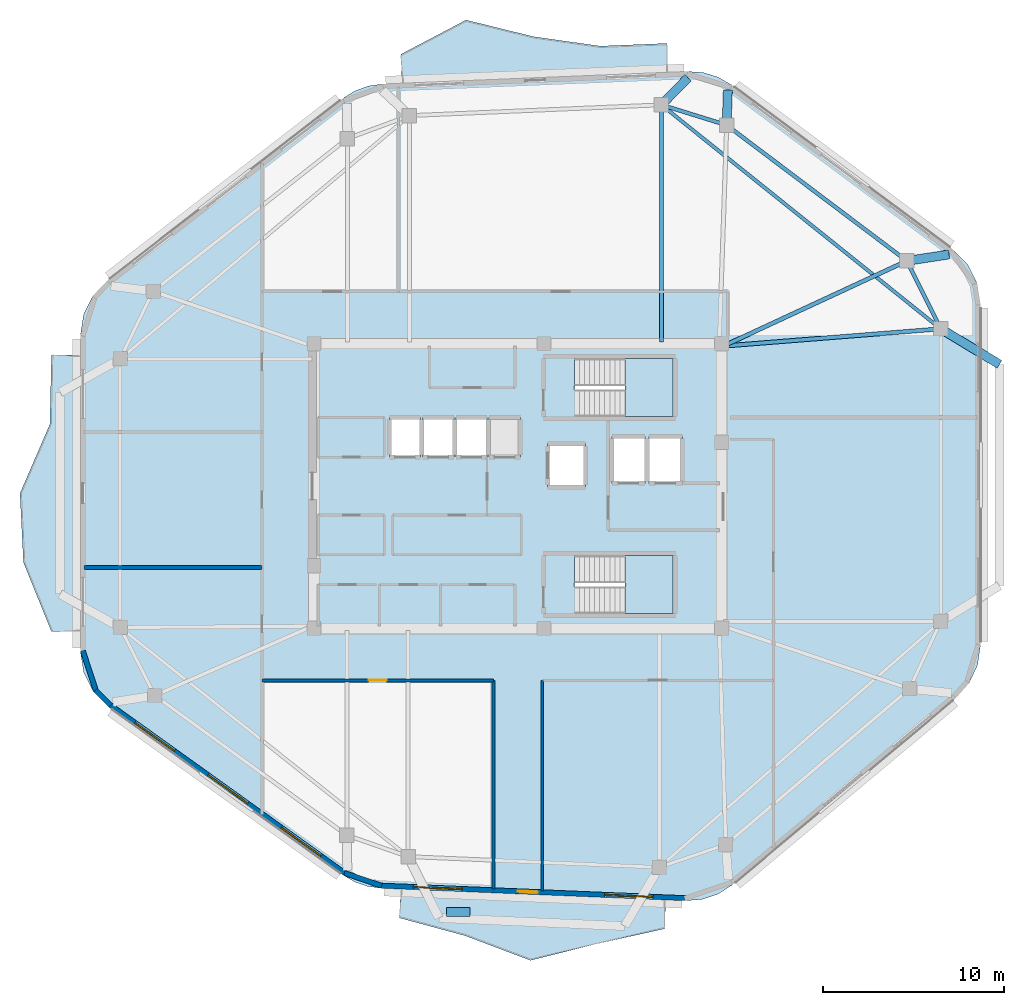
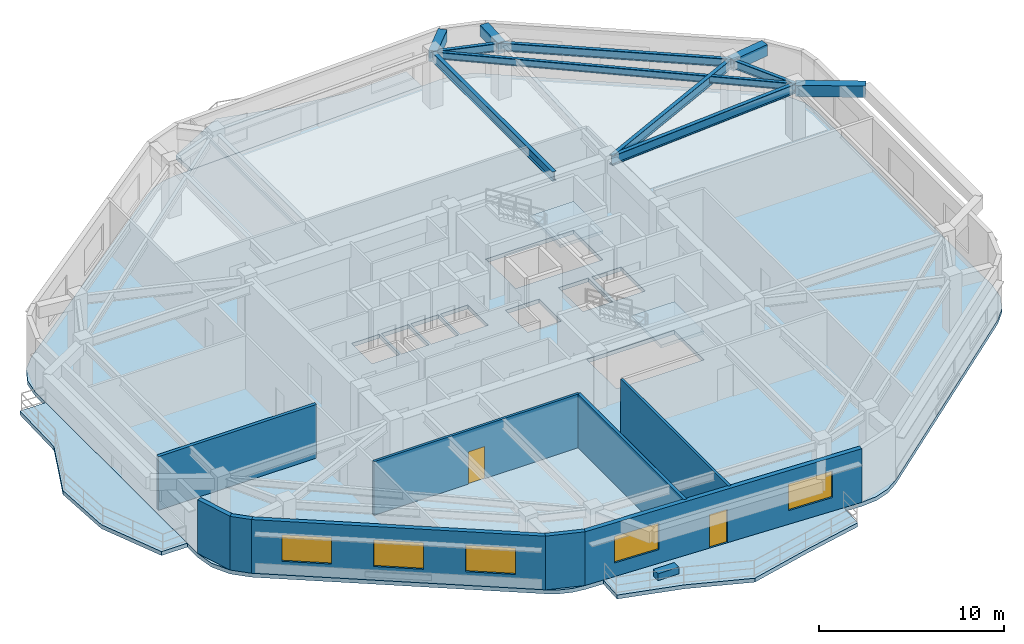
# One storey, part 2 of 10: 11 beams, 9 walls, 6 slabs, 5 windows, 2 doors, 1 plate, 7 openings, 2 elements without a shape of their own.
"""IFC4 building model written with IfcOpenShell, lengths in metres."""

from ifc_helpers import new_model, si_unit, direction, frame, frame_2d, origin, origin_2d, place, context, subcontext, project, spatial, polyline, rectangle, i_section, outline, extrude, material, layer, layer_set, material_profile, profile_set, type_object, element, fill, aggregate, save


model = new_model("IFC4")

# Units and contexts
model_context = context("Model", 3, precision=1e-05, world=origin(), true_north=direction((0.0, 1.0)))
body_context = subcontext(model_context, "Body", "Model", "MODEL_VIEW")
ifc_project = project(units=[si_unit("LENGTHUNIT", "METRE"), si_unit("AREAUNIT", "SQUARE_METRE"), si_unit("VOLUMEUNIT", "CUBIC_METRE"), si_unit("PLANEANGLEUNIT", "RADIAN"), si_unit("MASSUNIT", "GRAM", prefix="KILO")], contexts=[model_context])

# Site, building, storey
site_placement = place(None, origin())
site = spatial("IfcSite", under=ifc_project, at=site_placement, CompositionType="ELEMENT")
building_placement = place(site_placement, origin())
building = spatial("IfcBuilding", under=site, at=building_placement, Name="Zulverin Broadcast Headquarters", CompositionType="ELEMENT")
storey_placement = place(building_placement, frame((0.0, 0.0, 282.0)))
storey = spatial("IfcBuildingStorey", under=building, at=storey_placement, Name="L72", CompositionType="ELEMENT", Elevation=282.0)

# Beams
ifc_material_1 = material(Name="Concrete C40/50", Category="concrete")
ifc_material_profile_1 = material_profile(ifc_material_1, rectangle(XDim=0.5, YDim=0.75, at=origin_2d()), Name="Concrete C40/50", Category="concrete")
ifc_profile_set_1 = profile_set([ifc_material_profile_1], Name="Concrete C40/50")
beam_type_1 = type_object("IfcBeamType", Name="BM-RC-500x750", PredefinedType="BEAM", material=ifc_profile_set_1)
beam_1_placement = place(storey_placement, frame((58.52587890625, 37.661865234375, 3.1650390625), z_axis=(0.988495750069, 0.151248643286, 0.0), x_axis=(-0.151248643286, 0.988495750069, 0.0)))
element("IfcBeam", 1, at=beam_1_placement, inside=storey, type_object=beam_type_1, Name="L73 Plate Overhang Back-Spanned Beam OVR-07", PredefinedType="BEAM", context=body_context, shape_type="SweptSolid", body=[
    extrude(rectangle(XDim=0.5, YDim=0.75, at=origin_2d()), origin(), (0.0, 0.0, 1.0), 2.35986328125),
])
beam_2_placement = place(storey_placement, frame((48.55908203125, 45.172607421875, 3.1650390625), z_axis=(0.032637714701, 0.999467247877, 0.0), x_axis=(-0.999467247877, 0.032637714701, 0.0)))
element("IfcBeam", 2, at=beam_2_placement, inside=storey, type_object=beam_type_1, Name="L73 Plate Overhang Back-Spanned Beam OVR-08", PredefinedType="BEAM", context=body_context, shape_type="SweptSolid", body=[
    extrude(rectangle(XDim=0.5, YDim=0.75, at=origin_2d()), origin(), (0.0, 0.0, 1.0), 1.94482421875),
])
beam_3_placement = place(storey_placement, frame((44.944580078125, 46.296630859375, 3.1650390625), z_axis=(0.702159513415, 0.712019675094, 0.0), x_axis=(-0.712019675094, 0.702159513415, 0.0)))
element("IfcBeam", 3, at=beam_3_placement, inside=storey, type_object=beam_type_1, Name="L73 Plate Overhang Back-Spanned Beam OVR-09", PredefinedType="BEAM", context=body_context, shape_type="SweptSolid", body=[
    extrude(rectangle(XDim=0.5, YDim=0.75, at=origin_2d()), origin(), (0.0, 0.0, 1.0), 2.104736328125),
])
beam_4_placement = place(storey_placement, frame((60.39990234375, 33.903076171875, 3.1650390625), z_axis=(0.855759105742, -0.517374480371, 0.0), x_axis=(0.517374480371, 0.855759105742, 0.0)))
element("IfcBeam", 4, at=beam_4_placement, inside=storey, type_object=beam_type_1, Name="L73 Balcony Column-Framed Cantilever BAL_E-2", PredefinedType="BEAM", context=body_context, shape_type="SweptSolid", body=[
    extrude(rectangle(XDim=0.5, YDim=0.75, at=origin_2d()), origin(), (0.0, 0.0, 1.0), 3.800048828125),
])
ifc_material_2 = material(Name="Structural steel S355JR", Category="steel")
ifc_material_profile_2 = material_profile(ifc_material_2, i_section(OverallWidth=0.19287109375, OverallDepth=0.46728515625, WebThickness=0.011474609375, FlangeThickness=0.01953125, at=origin_2d()), Name="Structural steel S355JR", Category="steel")
ifc_profile_set_2 = profile_set([ifc_material_profile_2], Name="Structural steel S355JR")
beam_type_2 = type_object("IfcBeamType", Name="BM-UB-457", PredefinedType="JOIST", material=ifc_profile_set_2)
beam_5_placement = place(storey_placement, frame((60.39990234375, 33.903076171875, 3.306396484375), z_axis=(-0.78014690603, 0.625596359493, 0.0), x_axis=(-0.625596359493, -0.78014690603, 0.0)))
element("IfcBeam", 5, at=beam_5_placement, inside=storey, type_object=beam_type_2, Name="L72 Chordal Floor Joist J-02", PredefinedType="JOIST", context=body_context, shape_type="SweptSolid", body=[
    extrude(i_section(OverallWidth=0.19287109375, OverallDepth=0.46728515625, WebThickness=0.011474609375, FlangeThickness=0.01953125, at=origin_2d()), origin(), (0.0, 0.0, 1.0), 19.810791015625),
])
ifc_material_profile_3 = material_profile(ifc_material_2, i_section(OverallWidth=0.2119140625, OverallDepth=0.54443359375, WebThickness=0.0126953125, FlangeThickness=0.021240234375, at=origin_2d()), Name="Structural steel S355JR", Category="steel")
ifc_profile_set_3 = profile_set([ifc_material_profile_3], Name="Structural steel S355JR")
beam_type_3 = type_object("IfcBeamType", Name="BM-UB-533", PredefinedType="SPANDREL", material=ifc_profile_set_3)
beam_6_placement = place(storey_placement, frame((60.39990234375, 33.903076171875, 3.267822265625), z_axis=(-0.446190250792, 0.894938131995, 0.0), x_axis=(-0.894938131995, -0.446190250792, 0.0)))
element("IfcBeam", 6, at=beam_6_placement, inside=storey, type_object=beam_type_3, Name="L72 Perimeter Spandrel Beam SP-06", PredefinedType="SPANDREL", context=body_context, shape_type="SweptSolid", body=[
    extrude(i_section(OverallWidth=0.2119140625, OverallDepth=0.54443359375, WebThickness=0.0126953125, FlangeThickness=0.021240234375, at=origin_2d()), origin(), (0.0, 0.0, 1.0), 4.199951171875),
])
beam_7_placement = place(storey_placement, frame((58.52587890625, 37.661865234375, 3.267822265625), z_axis=(-0.798626958847, 0.60182637081, 0.0), x_axis=(-0.60182637081, -0.798626958847, 0.0)))
element("IfcBeam", 7, at=beam_7_placement, inside=storey, type_object=beam_type_3, Name="L72 Perimeter Spandrel Beam SP-07", PredefinedType="SPANDREL", context=body_context, shape_type="SweptSolid", body=[
    extrude(i_section(OverallWidth=0.2119140625, OverallDepth=0.54443359375, WebThickness=0.0126953125, FlangeThickness=0.021240234375, at=origin_2d()), origin(), (0.0, 0.0, 1.0), 12.47998046875),
])
beam_8_placement = place(storey_placement, frame((48.55908203125, 45.172607421875, 3.267822265625), z_axis=(-0.954893359596, 0.296948938033, 0.0), x_axis=(-0.296948938033, -0.954893359596, 0.0)))
element("IfcBeam", 8, at=beam_8_placement, inside=storey, type_object=beam_type_3, Name="L72 Perimeter Spandrel Beam SP-08", PredefinedType="SPANDREL", context=body_context, shape_type="SweptSolid", body=[
    extrude(i_section(OverallWidth=0.2119140625, OverallDepth=0.54443359375, WebThickness=0.0126953125, FlangeThickness=0.021240234375, at=origin_2d()), origin(), (0.0, 0.0, 1.0), 3.78515625),
])
ifc_material_profile_4 = material_profile(ifc_material_2, i_section(OverallWidth=0.230224609375, OverallDepth=0.6171875, WebThickness=0.01318359375, FlangeThickness=0.022216796875, at=origin_2d()), Name="Structural steel S355JR", Category="steel")
ifc_profile_set_4 = profile_set([ifc_material_profile_4], Name="Structural steel S355JR")
beam_type_4 = type_object("IfcBeamType", Name="BM-UB-610", PredefinedType="BEAM", material=ifc_profile_set_4)
beam_9_placement = place(storey_placement, frame((48.375, 32.949951171875, 3.2314453125), z_axis=(0.996873444671, 0.079014779064, 0.0), x_axis=(-0.079014779064, 0.996873444671, 0.0)))
element("IfcBeam", 9, at=beam_9_placement, inside=storey, type_object=beam_type_4, Name="L72 Radial Primary Floor Beam RB-06", PredefinedType="BEAM", context=body_context, shape_type="SweptSolid", body=[
    extrude(i_section(OverallWidth=0.230224609375, OverallDepth=0.6171875, WebThickness=0.01318359375, FlangeThickness=0.022216796875, at=origin_2d()), origin(), (0.0, 0.0, 1.0), 12.0625),
])
beam_10_placement = place(storey_placement, frame((48.375, 32.949951171875, 3.2314453125), z_axis=(0.90704288978, 0.421038235912, 0.0), x_axis=(-0.421038235912, 0.90704288978, 0.0)))
element("IfcBeam", 10, at=beam_10_placement, inside=storey, type_object=beam_type_4, Name="L72 Radial Primary Floor Beam RB-07", PredefinedType="BEAM", context=body_context, shape_type="SweptSolid", body=[
    extrude(i_section(OverallWidth=0.230224609375, OverallDepth=0.6171875, WebThickness=0.01318359375, FlangeThickness=0.022216796875, at=origin_2d()), origin(), (0.0, 0.0, 1.0), 11.191162109375),
])
beam_11_placement = place(storey_placement, frame((44.944580078125, 33.175048828125, 3.2314453125), z_axis=(0.0, 1.0, 0.0), x_axis=(-1.0, 0.0, 0.0)))
element("IfcBeam", 11, at=beam_11_placement, inside=storey, type_object=beam_type_4, Name="L72 Radial Primary Floor Beam RB-09", PredefinedType="BEAM", context=body_context, shape_type="SweptSolid", body=[
    extrude(i_section(OverallWidth=0.230224609375, OverallDepth=0.6171875, WebThickness=0.01318359375, FlangeThickness=0.022216796875, at=origin_2d()), origin(), (0.0, 0.0, 1.0), 13.12158203125),
])

# Plate
ifc_material_3 = material(Name="Precast concrete C45/55", Category="concrete")
ifc_layer_1 = layer(ifc_material_3, 0.449951171875, Name="Precast concrete C45/55", Category="concrete")
ifc_layer_set_1 = layer_set([ifc_layer_1], Name="Precast concrete C45/55")
plate_type = type_object("IfcPlateType", Name="PT-01_PRECAST_GFRC_TREE_PLANTER", PredefinedType="USERDEFINED", material=ifc_layer_set_1)
plate_placement = place(storey_placement, frame((33.700439453125, 1.626708984375, -0.0048828125), z_axis=(0.0, 0.0, 1.0), x_axis=(1.0, 0.0, 0.0)))
element("IfcPlate", 12, at=plate_placement, inside=storey, type_object=plate_type, Name="L72 Precast GFRC Tree Planter BAL_S", ObjectType="PLANTER", PredefinedType="USERDEFINED", context=body_context, shape_type="SweptSolid", body=[
    extrude(rectangle(XDim=1.300048828125, YDim=0.5, at=origin_2d()), origin(), (0.0, 0.0, 1.0), 0.449951171875),
])

# Slabs
ifc_layer_2 = layer(ifc_material_1, 0.260009765625, Name="Concrete C40/50", Category="concrete")
ifc_layer_set_2 = layer_set([ifc_layer_2], Name="Concrete C40/50")
slab_type_1 = type_object("IfcSlabType", Name="SLB-BAL-260", PredefinedType="FLOOR", material=ifc_layer_set_2)
slab_1_placement = place(storey_placement, frame((0.0, 0.0, -0.260009765625)))
element("IfcSlab", 13, at=slab_1_placement, inside=storey, type_object=slab_type_1, Name="L72 Cantilevered Planted Balcony Slab BAL_N", PredefinedType="FLOOR", context=body_context, shape_type="SweptSolid", body=[
    extrude(outline(polyline([(30.598388671875, 47.4951171875), (45.308837890625, 48.099609375), (45.2431640625, 49.6982421875), (41.565673828125, 49.547119140625), (37.860107421875, 50.0732421875), (34.138427734375, 50.99072265625), (30.532470703125, 49.093505859375), (30.598388671875, 47.4951171875)])), origin(), (0.0, 0.0, 1.0), 0.260009765625),
])
slab_2_placement = place(storey_placement, frame((0.0, 0.0, -0.260009765625)))
element("IfcSlab", 14, at=slab_2_placement, inside=storey, type_object=slab_type_1, Name="L72 Cantilevered Planted Balcony Slab BAL_W", PredefinedType="FLOOR", context=body_context, shape_type="SweptSolid", body=[
    extrude(outline(polyline([(12.800048828125, 17.151611328125), (12.800048828125, 32.447998046875), (11.199951171875, 32.447998046875), (11.111083984375, 28.623779296875), (9.458984375, 24.7998046875), (9.649658203125, 20.975830078125), (11.199951171875, 17.151611328125), (12.800048828125, 17.151611328125)])), origin(), (0.0, 0.0, 1.0), 0.260009765625),
])
slab_3_placement = place(storey_placement, frame((0.0, 0.0, -0.260009765625)))
element("IfcSlab", 15, at=slab_3_placement, inside=storey, type_object=slab_type_1, Name="L72 Cantilevered Planted Balcony Slab BAL_S", PredefinedType="FLOOR", context=body_context, shape_type="SweptSolid", body=[
    extrude(outline(polyline([(45.185302734375, 2.305419921875), (30.521728515625, 2.908203125), (30.4560546875, 1.3095703125), (34.087646484375, 0.32421875), (37.70361328125, -1.0400390625), (41.413818359375, -0.11181640625), (45.11962890625, 0.706787109375), (45.185302734375, 2.305419921875)])), origin(), (0.0, 0.0, 1.0), 0.260009765625),
])

# Stair, slab
stair_type = type_object("IfcStairType", Name="ST-CORE-1500", PredefinedType="HALF_TURN_STAIR", material=ifc_material_1)
stair_1_placement = place(storey_placement, origin())
stair_1 = element("IfcStair", 16, at=stair_1_placement, inside=storey, type_object=stair_type, Name="L72 Core Exit Stair ST-1", PredefinedType="HALF_TURN_STAIR")
ifc_layer_3 = layer(ifc_material_1, 0.199951171875, Name="Concrete C40/50", Category="concrete")
ifc_layer_set_3 = layer_set([ifc_layer_3], Name="Concrete C40/50")
slab_type_2 = type_object("IfcSlabType", Name="SLB-ST-LND200", PredefinedType="LANDING", material=ifc_layer_set_3)
slab_4_placement = place(storey_placement, frame((0.0, 0.0, 1.699951171875)))
slab_4 = element("IfcSlab", 17, at=slab_4_placement, type_object=slab_type_2, Name="ST-1 landing 1", PredefinedType="LANDING", context=body_context, shape_type="SweptSolid", body=[
    extrude(outline(polyline([(42.929931640625, 29.050048828125), (45.60009765625, 29.050048828125), (45.60009765625, 32.25), (42.929931640625, 32.25), (42.929931640625, 29.050048828125)])), origin(), (0.0, 0.0, 1.0), 0.199951171875),
])
aggregate(stair_1, [slab_4])

stair_2_placement = place(storey_placement, origin())
stair_2 = element("IfcStair", 18, at=stair_2_placement, inside=storey, type_object=stair_type, Name="L72 Core Exit Stair ST-2", PredefinedType="HALF_TURN_STAIR")
slab_5_placement = place(storey_placement, frame((0.0, 0.0, 1.699951171875)))
slab_5 = element("IfcSlab", 19, at=slab_5_placement, type_object=slab_type_2, Name="ST-2 landing 1", PredefinedType="LANDING", context=body_context, shape_type="SweptSolid", body=[
    extrude(outline(polyline([(42.929931640625, 18.14990234375), (45.60009765625, 18.14990234375), (45.60009765625, 21.35009765625), (42.929931640625, 21.35009765625), (42.929931640625, 18.14990234375)])), origin(), (0.0, 0.0, 1.0), 0.199951171875),
])
aggregate(stair_2, [slab_5])

# Slab
ifc_layer_4 = layer(ifc_material_1, 0.260009765625, Name="Concrete C40/50", Category="concrete")
ifc_layer_set_4 = layer_set([ifc_layer_4], Name="Concrete C40/50")
slab_type_3 = type_object("IfcSlabType", Name="SLB-TWR-260", PredefinedType="FLOOR", material=ifc_layer_set_4)
slab_6_placement = place(storey_placement, frame((0.0, 0.0, -0.260009765625)))
element("IfcSlab", 20, at=slab_6_placement, inside=storey, type_object=slab_type_3, Name="L72 Main Structural Floor Slab", PredefinedType="FLOOR", context=body_context, shape_type="SweptSolid", body=[
    extrude(outline(polyline([(27.364990234375, 3.66162109375), (28.00048828125, 3.293212890625), (28.695068359375, 3.05419921875), (29.422607421875, 2.953369140625), (46.284423828125, 2.26025390625), (47.21337890625, 2.33642578125), (48.095703125, 2.63671875), (48.878662109375, 3.142333984375), (61.238037109375, 13.480712890625), (61.97265625, 14.30419921875), (62.439697265625, 15.3037109375), (62.60009765625, 16.3955078125), (62.60009765625, 35.25), (62.418212890625, 36.4111328125), (61.890625, 37.4609375), (61.0673828125, 38.299560546875), (48.831298828125, 47.3974609375), (48.087646484375, 47.8291015625), (47.265869140625, 48.08251953125), (46.407958984375, 48.144775390625), (29.499267578125, 47.44970703125), (28.726318359375, 47.337646484375), (27.992919921875, 47.070068359375), (27.329345703125, 46.657958984375), (14.274169921875, 36.552978515625), (13.481201171875, 35.71875), (12.974365234375, 34.685546875), (12.800048828125, 33.548095703125), (12.800048828125, 16.0517578125), (12.988525390625, 14.86962890625), (13.535400390625, 13.804931640625), (14.386474609375, 12.963134765625), (27.364990234375, 3.66162109375)]), holes=[polyline([(40.155029296875, 30.75), (40.130126953125, 30.75), (40.130126953125, 32.25), (45.60009765625, 32.25), (45.60009765625, 29.050048828125), (40.155029296875, 29.050048828125), (40.155029296875, 30.75)]), polyline([(40.155029296875, 19.85009765625), (40.130126953125, 19.85009765625), (40.130126953125, 21.35009765625), (45.60009765625, 21.35009765625), (45.60009765625, 18.14990234375), (40.155029296875, 18.14990234375), (40.155029296875, 19.85009765625)]), polyline([(29.89990234375, 26.800048828125), (31.6201171875, 26.800048828125), (31.6201171875, 29.0), (29.89990234375, 29.0), (29.89990234375, 26.800048828125)]), polyline([(31.739990234375, 26.800048828125), (33.4599609375, 26.800048828125), (33.4599609375, 29.0), (31.739990234375, 29.0), (31.739990234375, 26.800048828125)]), polyline([(33.580078125, 26.800048828125), (35.300048828125, 26.800048828125), (35.300048828125, 29.0), (33.580078125, 29.0), (33.580078125, 26.800048828125)]), polyline([(35.419921875, 26.800048828125), (37.139892578125, 26.800048828125), (37.139892578125, 29.0), (35.419921875, 29.0), (35.419921875, 26.800048828125)]), polyline([(42.199951171875, 25.35009765625), (44.050048828125, 25.35009765625), (44.050048828125, 27.949951171875), (42.199951171875, 27.949951171875), (42.199951171875, 25.35009765625)]), polyline([(44.25, 25.35009765625), (46.10009765625, 25.35009765625), (46.10009765625, 27.949951171875), (44.25, 27.949951171875), (44.25, 25.35009765625)]), polyline([(38.64990234375, 25.14990234375), (40.75, 25.14990234375), (40.75, 27.550048828125), (38.64990234375, 27.550048828125), (38.64990234375, 25.14990234375)])]), origin(), (0.0, 0.0, 1.0), 0.260009765625),
])

# Wall
ifc_material_4 = material(Name="Acoustic drywall steel stud", Category="steel")
ifc_layer_5 = layer(ifc_material_4, 0.199951171875, Name="Acoustic drywall steel stud", Category="steel")
ifc_layer_set_5 = layer_set([ifc_layer_5], Name="Acoustic drywall steel stud")
wall_type_1 = type_object("IfcWallType", Name="WL-ACOU-200", PredefinedType="PARTITIONING", material=ifc_layer_set_5)
wall_1_placement = place(storey_placement, frame((13.0048828125, 20.699951171875, 0.0), z_axis=(0.0, 0.0, 1.0), x_axis=(1.0, 0.0, 0.0)))
element("IfcWall", 21, at=wall_1_placement, inside=storey, type_object=wall_type_1, Name="L72 Room Partition Wall RP-09", PredefinedType="PARTITIONING", context=body_context, shape_type="SweptSolid", body=[
    extrude(rectangle(XDim=9.84521484375, YDim=0.199951171875, at=frame_2d((4.922607421875, 0.0))), origin(), (0.0, 0.0, 1.0), 3.5400390625),
])

# Wall, openings, door, windows
ifc_material_5 = material(Name="Insulated pale-metal clad concrete spandrel C40/50", Category="concrete")
ifc_layer_6 = layer(ifc_material_5, 0.280029296875, Name="Insulated pale-metal clad concrete spandrel C40/50", Category="concrete")
ifc_layer_set_6 = layer_set([ifc_layer_6], Name="Insulated pale-metal clad concrete spandrel C40/50")
wall_type_2 = type_object("IfcWallType", Name="WL-EXT-280", PredefinedType="STANDARD", material=ifc_layer_set_6)
wall_2_placement = place(storey_placement, frame((29.42822265625, 3.09326171875, 0.0), z_axis=(0.0, 0.0, 1.0), x_axis=(0.999156257967, -0.041070331944, 0.0)))
wall_2 = element("IfcWall", 22, at=wall_2_placement, inside=storey, type_object=wall_type_2, Name="L72 Pale-Metal Clad Spandrel Wall 1", PredefinedType="STANDARD", context=body_context, shape_type="SweptSolid", body=[
    extrude(rectangle(XDim=16.876220703125, YDim=0.280029296875, at=frame_2d((8.43798828125, 0.0))), origin(), (0.0, 0.0, 1.0), 3.5400390625),
])
opening_1_placement = place(wall_2_placement, frame((7.588134765625, 0.0, 0.0)))
opening_1 = element("IfcOpeningElement", 23, at=opening_1_placement, cuts=wall_2, Name="Opening D-L72-TR1", PredefinedType="OPENING", context=body_context, shape_type="SweptSolid", body=[
    extrude(rectangle(XDim=1.10009765625, YDim=2.199951171875, at=frame_2d((0.550048828125, 1.10009765625))), frame((0.0, 0.14990234375, 0.0), z_axis=(0.0, -1.0, 0.0), x_axis=(1.0, 0.0, 0.0)), (0.0, 0.0, 1.0), 0.300048828125),
])
opening_2_placement = place(wall_2_placement, frame((1.7958984375, 0.0, 0.89990234375)))
opening_2 = element("IfcOpeningElement", 24, at=opening_2_placement, cuts=wall_2, Name="Opening W-L72-E11", PredefinedType="OPENING", context=body_context, shape_type="SweptSolid", body=[
    extrude(rectangle(XDim=2.699951171875, YDim=1.75, at=frame_2d((1.35009765625, 0.875))), frame((0.0, 0.14990234375, 0.0), z_axis=(0.0, -1.0, 0.0), x_axis=(1.0, 0.0, 0.0)), (0.0, 0.0, 1.0), 0.300048828125),
])
opening_3_placement = place(wall_2_placement, frame((12.380126953125, 0.0, 0.89990234375)))
opening_3 = element("IfcOpeningElement", 25, at=opening_3_placement, cuts=wall_2, Name="Opening W-L72-E12", PredefinedType="OPENING", context=body_context, shape_type="SweptSolid", body=[
    extrude(rectangle(XDim=2.699951171875, YDim=1.75, at=frame_2d((1.35009765625, 0.875))), frame((0.0, 0.14990234375, 0.0), z_axis=(0.0, -1.0, 0.0), x_axis=(1.0, 0.0, 0.0)), (0.0, 0.0, 1.0), 0.300048828125),
])
ifc_material_6 = material(Name="Thermally broken aluminium glazed", Category="aluminium")
door_type_1 = type_object("IfcDoorType", Name="DR-TERR-1100", OperationType="SINGLE_SWING_RIGHT", PredefinedType="DOOR", material=ifc_material_6)
door_1_placement = place(opening_1_placement, origin())
door_1 = element("IfcDoor", 26, at=door_1_placement, inside=storey, type_object=door_type_1, Name="L72 Planted Terrace Glazed Access Door 1", OperationType="SINGLE_SWING_RIGHT", OverallHeight=2.199951171875, OverallWidth=1.10009765625, PredefinedType="DOOR", context=body_context, shape_type="SweptSolid", body=[
    extrude(rectangle(XDim=1.10009765625, YDim=2.199951171875, at=frame_2d((0.550048828125, 1.10009765625))), frame((0.0, 0.02490234375, 0.0), z_axis=(0.0, -1.0, 0.0), x_axis=(1.0, 0.0, 0.0)), (0.0, 0.0, 1.0), 0.050048828125),
])
fill(opening_1, door_1)
ifc_material_7 = material(Name="Pale anodized aluminium frame with solar-control low-E double glazing", Category="aluminium")
window_type = type_object("IfcWindowType", Name="WIN-TWR-2700", PartitioningType="SINGLE_PANEL", PredefinedType="WINDOW", material=ifc_material_7)
window_1_placement = place(opening_2_placement, origin())
window_1 = element("IfcWindow", 27, at=window_1_placement, inside=storey, type_object=window_type, Name="L72 Ribbon Glazing Window 1 1", OverallHeight=1.75, OverallWidth=2.699951171875, PartitioningType="SINGLE_PANEL", PredefinedType="WINDOW", context=body_context, shape_type="SweptSolid", body=[
    extrude(rectangle(XDim=2.699951171875, YDim=1.75, at=frame_2d((1.35009765625, 0.875))), frame((0.0, 0.030029296875, 0.0), z_axis=(0.0, -1.0, 0.0), x_axis=(1.0, 0.0, 0.0)), (0.0, 0.0, 1.0), 0.06005859375),
])
fill(opening_2, window_1)
window_2_placement = place(opening_3_placement, origin())
window_2 = element("IfcWindow", 28, at=window_2_placement, inside=storey, type_object=window_type, Name="L72 Ribbon Glazing Window 1 2", OverallHeight=1.75, OverallWidth=2.699951171875, PartitioningType="SINGLE_PANEL", PredefinedType="WINDOW", context=body_context, shape_type="SweptSolid", body=[
    extrude(rectangle(XDim=2.699951171875, YDim=1.75, at=frame_2d((1.35009765625, 0.875))), frame((0.0, 0.030029296875, 0.0), z_axis=(0.0, -1.0, 0.0), x_axis=(1.0, 0.0, 0.0)), (0.0, 0.0, 1.0), 0.06005859375),
])
fill(opening_3, window_2)

# Wall, openings, windows
wall_3_placement = place(storey_placement, frame((14.468017578125, 13.076904296875, 0.0), z_axis=(0.0, 0.0, 1.0), x_axis=(0.812809888039, -0.582529042972, 0.0)))
wall_3 = element("IfcWall", 29, at=wall_3_placement, inside=storey, type_object=wall_type_2, Name="L72 Pale-Metal Clad Spandrel Wall 8", PredefinedType="STANDARD", context=body_context, shape_type="SweptSolid", body=[
    extrude(rectangle(XDim=15.967529296875, YDim=0.280029296875, at=frame_2d((7.98388671875, 0.0))), origin(), (0.0, 0.0, 1.0), 3.5400390625),
])
opening_4_placement = place(wall_3_placement, frame((1.64453125, 0.0, 0.89990234375)))
opening_4 = element("IfcOpeningElement", 30, at=opening_4_placement, cuts=wall_3, Name="Opening W-L72-E81", PredefinedType="OPENING", context=body_context, shape_type="SweptSolid", body=[
    extrude(rectangle(XDim=2.699951171875, YDim=1.75, at=frame_2d((1.35009765625, 0.875))), frame((0.0, 0.14990234375, 0.0), z_axis=(0.0, -1.0, 0.0), x_axis=(1.0, 0.0, 0.0)), (0.0, 0.0, 1.0), 0.300048828125),
])
opening_5_placement = place(wall_3_placement, frame((6.6337890625, 0.0, 0.89990234375)))
opening_5 = element("IfcOpeningElement", 31, at=opening_5_placement, cuts=wall_3, Name="Opening W-L72-E82", PredefinedType="OPENING", context=body_context, shape_type="SweptSolid", body=[
    extrude(rectangle(XDim=2.699951171875, YDim=1.75, at=frame_2d((1.35009765625, 0.875))), frame((0.0, 0.14990234375, 0.0), z_axis=(0.0, -1.0, 0.0), x_axis=(1.0, 0.0, 0.0)), (0.0, 0.0, 1.0), 0.300048828125),
])
opening_6_placement = place(wall_3_placement, frame((11.623046875, 0.0, 0.89990234375)))
opening_6 = element("IfcOpeningElement", 32, at=opening_6_placement, cuts=wall_3, Name="Opening W-L72-E83", PredefinedType="OPENING", context=body_context, shape_type="SweptSolid", body=[
    extrude(rectangle(XDim=2.699951171875, YDim=1.75, at=frame_2d((1.35009765625, 0.875))), frame((0.0, 0.14990234375, 0.0), z_axis=(0.0, -1.0, 0.0), x_axis=(1.0, 0.0, 0.0)), (0.0, 0.0, 1.0), 0.300048828125),
])
window_3_placement = place(opening_4_placement, origin())
window_3 = element("IfcWindow", 33, at=window_3_placement, inside=storey, type_object=window_type, Name="L72 Ribbon Glazing Window 8 1", OverallHeight=1.75, OverallWidth=2.699951171875, PartitioningType="SINGLE_PANEL", PredefinedType="WINDOW", context=body_context, shape_type="SweptSolid", body=[
    extrude(rectangle(XDim=2.699951171875, YDim=1.75, at=frame_2d((1.35009765625, 0.875))), frame((0.0, 0.030029296875, 0.0), z_axis=(0.0, -1.0, 0.0), x_axis=(1.0, 0.0, 0.0)), (0.0, 0.0, 1.0), 0.06005859375),
])
fill(opening_4, window_3)
window_4_placement = place(opening_5_placement, origin())
window_4 = element("IfcWindow", 34, at=window_4_placement, inside=storey, type_object=window_type, Name="L72 Ribbon Glazing Window 8 2", OverallHeight=1.75, OverallWidth=2.699951171875, PartitioningType="SINGLE_PANEL", PredefinedType="WINDOW", context=body_context, shape_type="SweptSolid", body=[
    extrude(rectangle(XDim=2.699951171875, YDim=1.75, at=frame_2d((1.35009765625, 0.875))), frame((0.0, 0.030029296875, 0.0), z_axis=(0.0, -1.0, 0.0), x_axis=(1.0, 0.0, 0.0)), (0.0, 0.0, 1.0), 0.06005859375),
])
fill(opening_5, window_4)
window_5_placement = place(opening_6_placement, origin())
window_5 = element("IfcWindow", 35, at=window_5_placement, inside=storey, type_object=window_type, Name="L72 Ribbon Glazing Window 8 3", OverallHeight=1.75, OverallWidth=2.699951171875, PartitioningType="SINGLE_PANEL", PredefinedType="WINDOW", context=body_context, shape_type="SweptSolid", body=[
    extrude(rectangle(XDim=2.699951171875, YDim=1.75, at=frame_2d((1.35009765625, 0.875))), frame((0.0, 0.030029296875, 0.0), z_axis=(0.0, -1.0, 0.0), x_axis=(1.0, 0.0, 0.0)), (0.0, 0.0, 1.0), 0.06005859375),
])
fill(opening_6, window_5)

# Walls
wall_4_placement = place(storey_placement, frame((12.93310546875, 16.09521484375, 0.0), z_axis=(0.0, 0.0, 1.0), x_axis=(0.3110492363, -0.950393798695, 0.0)))
element("IfcWall", 36, at=wall_4_placement, inside=storey, type_object=wall_type_2, Name="L72 Wind-Shaped Corner Spandrel Wall 7-1", PredefinedType="STANDARD", context=body_context, shape_type="SweptSolid", body=[
    extrude(rectangle(XDim=2.364013671875, YDim=0.280029296875, at=frame_2d((1.18212890625, 0.0))), origin(), (0.0, 0.0, 1.0), 3.5400390625),
])
wall_5_placement = place(storey_placement, frame((13.6337890625, 13.904296875, 0.0), z_axis=(0.0, 0.0, 1.0), x_axis=(0.710971221429, -0.703221104845, 0.0)))
element("IfcWall", 37, at=wall_5_placement, inside=storey, type_object=wall_type_2, Name="L72 Wind-Shaped Corner Spandrel Wall 7-2", PredefinedType="STANDARD", context=body_context, shape_type="SweptSolid", body=[
    extrude(rectangle(XDim=1.197021484375, YDim=0.280029296875, at=frame_2d((0.5986328125, 0.0))), origin(), (0.0, 0.0, 1.0), 3.5400390625),
])
wall_6_placement = place(storey_placement, frame((27.41064453125, 3.7939453125, 0.0), z_axis=(0.0, 0.0, 1.0), x_axis=(0.945552869008, -0.325468542121, 0.0)))
element("IfcWall", 38, at=wall_6_placement, inside=storey, type_object=wall_type_2, Name="L72 Wind-Shaped Corner Spandrel Wall 8-1", PredefinedType="STANDARD", context=body_context, shape_type="SweptSolid", body=[
    extrude(rectangle(XDim=2.176025390625, YDim=0.280029296875, at=frame_2d((1.087890625, 0.0))), origin(), (0.0, 0.0, 1.0), 3.5400390625),
])
ifc_material_8 = material(Name="Fire-rated gypsum stud partition", Category="gypsum")
ifc_layer_7 = layer(ifc_material_8, 0.14990234375, Name="Fire-rated gypsum stud partition", Category="gypsum")
ifc_layer_set_7 = layer_set([ifc_layer_7], Name="Fire-rated gypsum stud partition")
wall_type_3 = type_object("IfcWallType", Name="WL-PART-150", PredefinedType="PARTITIONING", material=ifc_layer_set_7)
wall_7_placement = place(storey_placement, frame((38.35009765625, 2.79150390625, 0.0), z_axis=(0.0, 0.0, 1.0), x_axis=(0.0, 1.0, 0.0)))
element("IfcWall", 39, at=wall_7_placement, inside=storey, type_object=wall_type_3, Name="L72 Gallery Partition Wall CG-03", PredefinedType="PARTITIONING", context=body_context, shape_type="SweptSolid", body=[
    extrude(rectangle(XDim=11.658447265625, YDim=0.14990234375, at=frame_2d((5.8291015625, 0.0))), origin(), (0.0, 0.0, 1.0), 3.5400390625),
])

# Wall, opening, door
wall_8_placement = place(storey_placement, frame((22.85009765625, 14.449951171875, 0.0), z_axis=(0.0, 0.0, 1.0), x_axis=(1.0, 0.0, 0.0)))
wall_8 = element("IfcWall", 40, at=wall_8_placement, inside=storey, type_object=wall_type_3, Name="L72 Gallery Partition Wall CG-07", PredefinedType="PARTITIONING", context=body_context, shape_type="SweptSolid", body=[
    extrude(rectangle(XDim=12.7998046875, YDim=0.14990234375, at=frame_2d((6.39990234375, 0.0))), origin(), (0.0, 0.0, 1.0), 3.5400390625),
])
opening_7_placement = place(wall_8_placement, frame((5.89990234375, 0.0, 0.0)))
opening_7 = element("IfcOpeningElement", 41, at=opening_7_placement, cuts=wall_8, Name="Opening D-L72-03", PredefinedType="OPENING", context=body_context, shape_type="SweptSolid", body=[
    extrude(rectangle(XDim=1.0, YDim=2.1201171875, at=frame_2d((0.5, 1.06005859375))), frame((0.0, 0.0849609375, 0.0), z_axis=(0.0, -1.0, 0.0), x_axis=(1.0, 0.0, 0.0)), (0.0, 0.0, 1.0), 0.169921875),
])
ifc_material_9 = material(Name="Hardwood veneer acoustic leaf", Category="wood")
door_type_2 = type_object("IfcDoorType", Name="DR-OFF-1000", OperationType="SINGLE_SWING_LEFT", PredefinedType="DOOR", material=ifc_material_9)
door_2_placement = place(opening_7_placement, origin())
door_2 = element("IfcDoor", 42, at=door_2_placement, inside=storey, type_object=door_type_2, Name="L72 Open Strategy Workplace Door", OperationType="SINGLE_SWING_LEFT", OverallHeight=2.1201171875, OverallWidth=1.0, PredefinedType="DOOR", context=body_context, shape_type="SweptSolid", body=[
    extrude(rectangle(XDim=1.0, YDim=2.1201171875, at=frame_2d((0.5, 1.06005859375))), frame((0.0, 0.02490234375, 0.0), z_axis=(0.0, -1.0, 0.0), x_axis=(1.0, 0.0, 0.0)), (0.0, 0.0, 1.0), 0.050048828125),
])
fill(opening_7, door_2)

# Wall
ifc_material_10 = material(Name="Fire-rated acoustic stud wall", Category="gypsum")
ifc_layer_8 = layer(ifc_material_10, 0.175048828125, Name="Fire-rated acoustic stud wall", Category="gypsum")
ifc_layer_set_8 = layer_set([ifc_layer_8], Name="Fire-rated acoustic stud wall")
wall_type_4 = type_object("IfcWallType", Name="WL-PART-175", PredefinedType="PARTITIONING", material=ifc_layer_set_8)
wall_9_placement = place(storey_placement, frame((35.64990234375, 2.90234375, 0.0), z_axis=(0.0, 0.0, 1.0), x_axis=(0.0, 1.0, 0.0)))
element("IfcWall", 43, at=wall_9_placement, inside=storey, type_object=wall_type_4, Name="L72 Gallery Partition Wall CG-04", PredefinedType="PARTITIONING", context=body_context, shape_type="SweptSolid", body=[
    extrude(rectangle(XDim=11.547607421875, YDim=0.175048828125, at=frame_2d((5.77392578125, 0.0))), origin(), (0.0, 0.0, 1.0), 3.5400390625),
])

save(model, "model.ifc")
